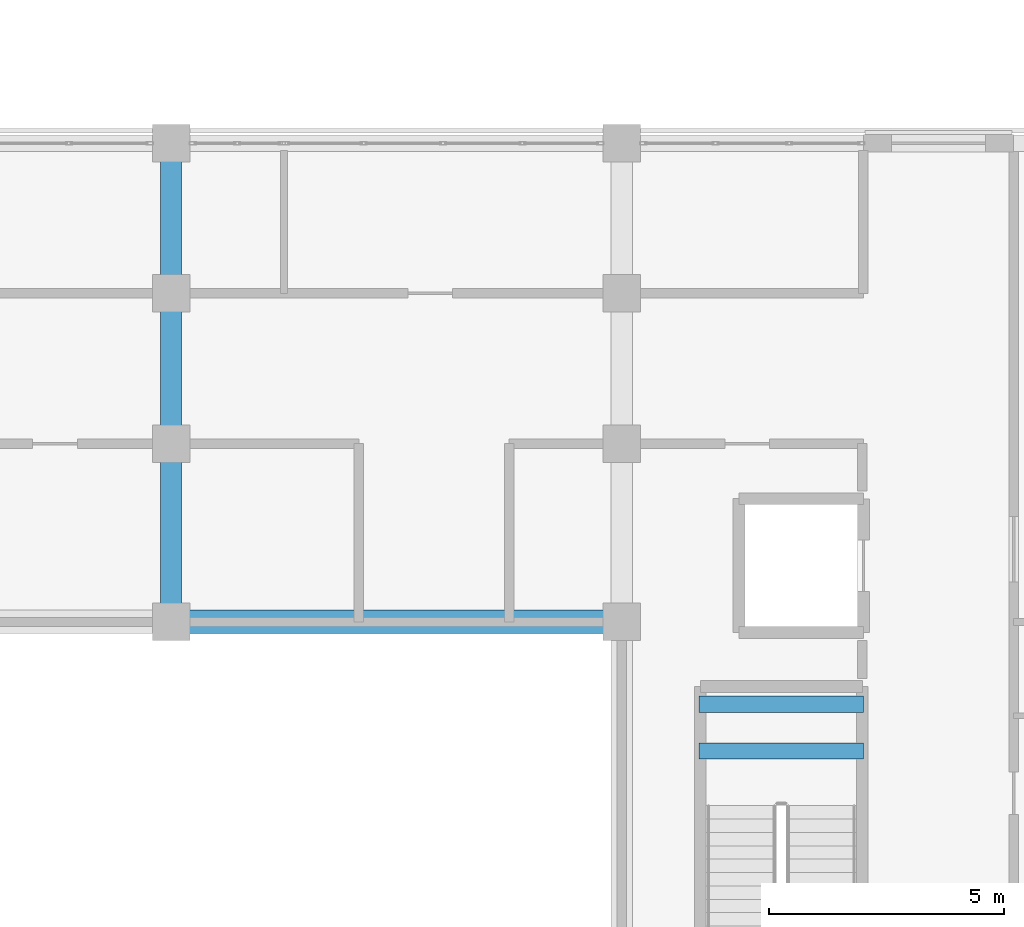
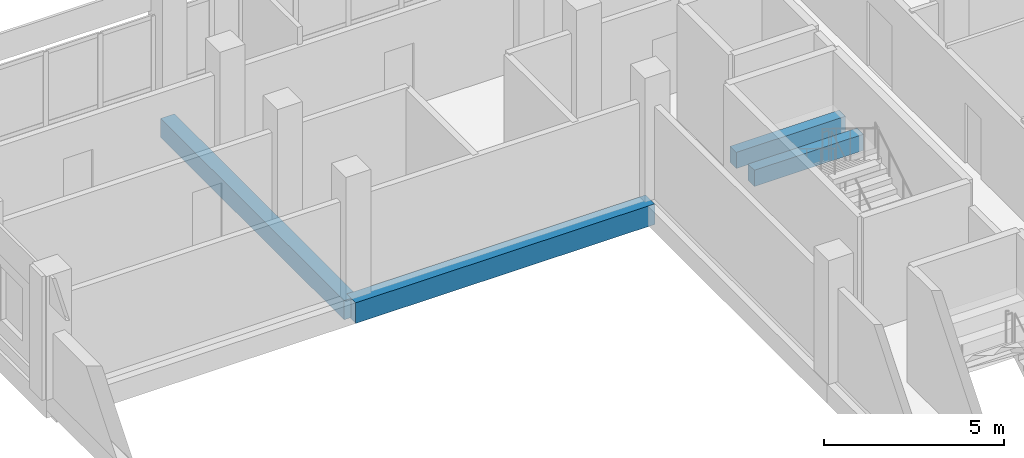
# One storey, part 88 of 170: 4 beams.
"""IFC4 building model written with IfcOpenShell, lengths in metres."""

from ifc_helpers import new_model, si_unit, direction, frame, origin, origin_2d, place, context, subcontext, project, spatial, rectangle, extrude, material, material_profile, profile_set, type_object, element, save


model = new_model("IFC4")

# Units and contexts
model_context = context("Model", 3, precision=1e-05, world=origin(), true_north=direction((0.0, 1.0)))
body_context = subcontext(model_context, "Body", "Model", "MODEL_VIEW")
ifc_project = project(units=[si_unit("LENGTHUNIT", "METRE"), si_unit("AREAUNIT", "SQUARE_METRE"), si_unit("VOLUMEUNIT", "CUBIC_METRE"), si_unit("PLANEANGLEUNIT", "RADIAN"), si_unit("MASSUNIT", "GRAM", prefix="KILO")], contexts=[model_context])

# Site, building, storey
site_placement = place(None, origin())
site = spatial("IfcSite", under=ifc_project, at=site_placement, CompositionType="ELEMENT")
building_placement = place(site_placement, origin())
building = spatial("IfcBuilding", under=site, at=building_placement, Name="Vondelvale Polytechnic", CompositionType="ELEMENT")
storey_placement = place(building_placement, frame((0.0, 0.0, 5.39990234375)))
storey = spatial("IfcBuildingStorey", under=building, at=storey_placement, Name="L01", CompositionType="ELEMENT", Elevation=5.39990234375)

# Beams
ifc_material = material(Name="Concrete N40 (f'c = 40 MPa)", Category="concrete")
ifc_material_profile_1 = material_profile(ifc_material, rectangle(XDim=0.35009765625, YDim=0.550048828125, at=origin_2d()), Name="RC-BM-350x550")
ifc_profile_set_1 = profile_set([ifc_material_profile_1], Name="Concrete N40 (f'c = 40 MPa)")
beam_type_1 = type_object("IfcBeamType", Name="BM-RC350x550", PredefinedType="BEAM", material=ifc_profile_set_1)
for number, where, z_axis, x_axis, name in (
    (1, (158.75, 17.64990234375, 1.625), (-1.0, 0.0, 0.0), (0.0, -1.0, 0.0), "L01 STLD B-06"),
    (2, (158.75, 18.64990234375, 1.625), (-1.0, 0.0, 0.0), (0.0, -1.0, 0.0), "L01 STLD B-06"),
):
    element("IfcBeam", number, at=place(storey_placement, frame(where, z_axis=z_axis, x_axis=x_axis)), inside=storey, type_object=beam_type_1, Name=name, PredefinedType="BEAM", context=body_context, shape_type="SweptSolid", body=[
        extrude(rectangle(XDim=0.35009765625, YDim=0.550048828125, at=origin_2d()), origin(), (0.0, 0.0, 1.0), 3.5),
    ])
ifc_material_profile_2 = material_profile(ifc_material, rectangle(XDim=0.449951171875, YDim=0.64990234375, at=origin_2d()), Name="RC-BM-450x650")
ifc_profile_set_2 = profile_set([ifc_material_profile_2], Name="Concrete N40 (f'c = 40 MPa)")
beam_type_2 = type_object("IfcBeamType", Name="BM-RC450x650", PredefinedType="BEAM", material=ifc_profile_set_2)
beam_1_placement = place(storey_placement, frame((144.0, 20.39990234375, -0.60498046875), z_axis=(0.0, 1.0, 0.0), x_axis=(-1.0, 0.0, 0.0)))
element("IfcBeam", 3, at=beam_1_placement, inside=storey, type_object=beam_type_2, Name="L01 B B-04", PredefinedType="BEAM", context=body_context, shape_type="SweptSolid", body=[
    extrude(rectangle(XDim=0.449951171875, YDim=0.64990234375, at=origin_2d()), origin(), (0.0, 0.0, 1.0), 10.2001953125),
])
ifc_material_profile_3 = material_profile(ifc_material, rectangle(XDim=0.5, YDim=0.699951171875, at=origin_2d()), Name="RC-BM-500x700")
ifc_profile_set_3 = profile_set([ifc_material_profile_3], Name="Concrete N40 (f'c = 40 MPa)")
beam_type_3 = type_object("IfcBeamType", Name="BM-RC500x700", PredefinedType="BEAM", material=ifc_profile_set_3)
beam_2_placement = place(storey_placement, frame((144.0, 20.39990234375, -0.6298828125), z_axis=(1.0, 0.0, 0.0), x_axis=(0.0, 1.0, 0.0)))
element("IfcBeam", 4, at=beam_2_placement, inside=storey, type_object=beam_type_3, Name="L01 B B-03", PredefinedType="BEAM", context=body_context, shape_type="SweptSolid", body=[
    extrude(rectangle(XDim=0.5, YDim=0.699951171875, at=origin_2d()), origin(), (0.0, 0.0, 1.0), 9.60009765625),
])

save(model, "model.ifc")
